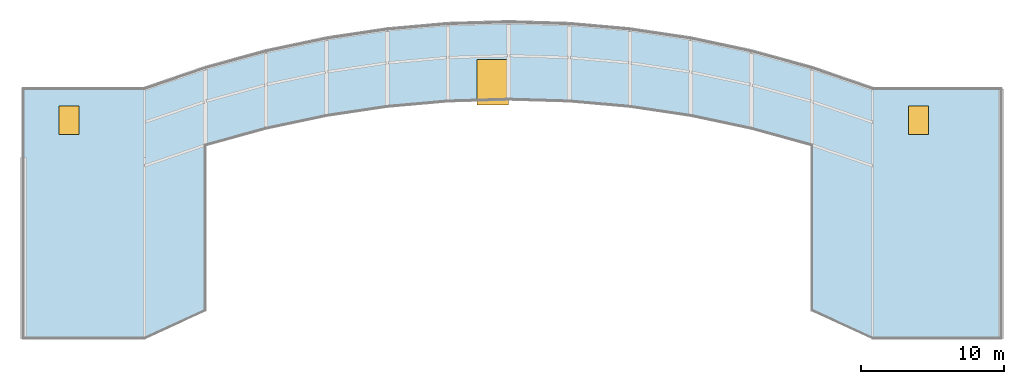
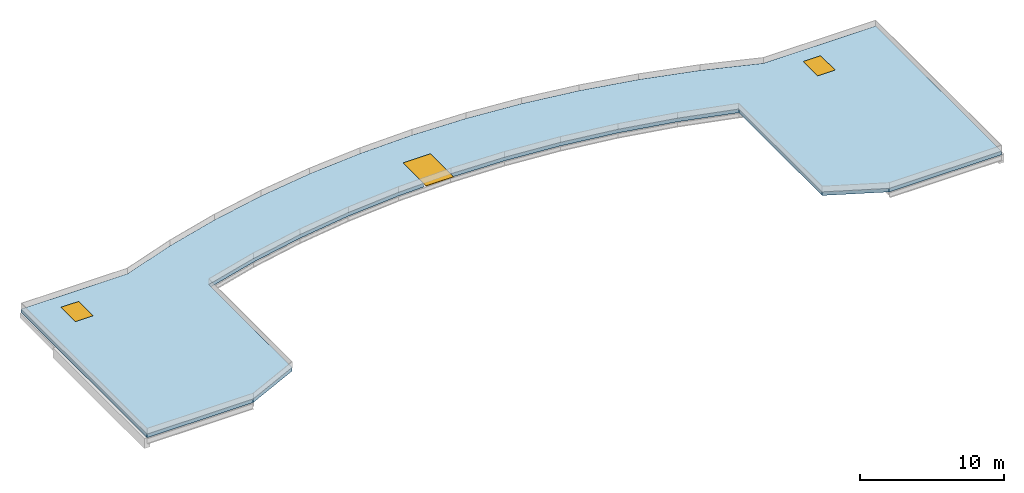
# One storey, part 2 of 3: 3 windows, 1 slab, 3 openings.
"""IFC4 building model written with IfcOpenShell, lengths in metres."""

from ifc_helpers import new_model, si_unit, direction, frame, origin, origin_2d, place, context, subcontext, project, spatial, polyline, rectangle, outline, extrude, material, layer, layer_set, type_object, element, fill, save


model = new_model("IFC4")

# Units and contexts
model_context = context("Model", 3, precision=1e-05, world=origin(), true_north=direction((0.0, 1.0)))
body_context = subcontext(model_context, "Body", "Model", "MODEL_VIEW")
ifc_project = project(units=[si_unit("LENGTHUNIT", "METRE"), si_unit("AREAUNIT", "SQUARE_METRE"), si_unit("VOLUMEUNIT", "CUBIC_METRE"), si_unit("PLANEANGLEUNIT", "RADIAN"), si_unit("MASSUNIT", "GRAM", prefix="KILO")], contexts=[model_context])

# Site, building, storey
site_placement = place(None, origin())
site = spatial("IfcSite", under=ifc_project, at=site_placement, CompositionType="ELEMENT")
building_placement = place(site_placement, origin())
building = spatial("IfcBuilding", under=site, at=building_placement, Name="Solvikara Media Centre", CompositionType="ELEMENT")
storey_placement = place(building_placement, frame((0.0, 0.0, 34.199951171875)))
storey = spatial("IfcBuildingStorey", under=building, at=storey_placement, Name="RF", CompositionType="ELEMENT", Elevation=34.199951171875)

# Slab, openings, windows
ifc_material_1 = material(Name="Concrete fc' 35 MPa (C35/45)", Category="concrete")
ifc_layer = layer(ifc_material_1, 0.31005859375)
ifc_layer_set = layer_set([ifc_layer], Name="Concrete fc' 35 MPa (C35/45)")
slab_type = type_object("IfcSlabType", Name="ST-14", PredefinedType="ROOF", material=ifc_layer_set)
slab_placement = place(storey_placement, frame((0.0, 0.0, -0.31005859375)))
slab = element("IfcSlab", 1, at=slab_placement, inside=storey, type_object=slab_type, Name="SL-RF-SKY", PredefinedType="ROOF", context=body_context, shape_type="SweptSolid", body=[
    extrude(outline(polyline([(68.0, 19.323974609375), (76.5, 19.323974609375), (80.75, 21.279052734375), (80.75, 32.860107421875), (85.0, 34.031005859375), (89.25, 34.928955078125), (93.5, 35.56396484375), (97.75, 35.94091796875), (102.0, 36.06689453125), (106.25, 35.94091796875), (110.5, 35.56396484375), (114.75, 34.928955078125), (119.0, 34.031005859375), (123.25, 32.860107421875), (123.25, 21.279052734375), (127.5, 19.323974609375), (136.5, 19.323974609375), (136.5, 36.800048828125), (127.5, 36.800048828125), (123.25, 38.260009765625), (119.0, 39.430908203125), (114.75, 40.3291015625), (110.5, 40.964111328125), (106.25, 41.341064453125), (102.0, 41.467041015625), (97.75, 41.341064453125), (93.5, 40.964111328125), (89.25, 40.3291015625), (85.0, 39.430908203125), (80.75, 38.260009765625), (76.5, 36.800048828125), (68.0, 36.800048828125), (68.0, 19.323974609375)])), origin(), (0.0, 0.0, 1.0), 0.31005859375),
])
opening_1_placement = place(slab_placement, frame((71.199951171875, 34.60009765625, -0.011962890625)))
opening_1 = element("IfcOpeningElement", 2, at=opening_1_placement, cuts=slab, Name="Opening SK-C3-TOP", PredefinedType="OPENING", context=body_context, shape_type="SweptSolid", body=[
    extrude(rectangle(XDim=1.39990234375, YDim=2.0, at=origin_2d()), origin(), (0.0, 0.0, 1.0), 0.333984375),
])
opening_2_placement = place(slab_placement, frame((130.699951171875, 34.60009765625, -0.011962890625)))
opening_2 = element("IfcOpeningElement", 3, at=opening_2_placement, cuts=slab, Name="Opening SK-C4-TOP", PredefinedType="OPENING", context=body_context, shape_type="SweptSolid", body=[
    extrude(rectangle(XDim=1.39990234375, YDim=2.0, at=origin_2d()), origin(), (0.0, 0.0, 1.0), 0.333984375),
])
opening_3_placement = place(slab_placement, frame((100.89990234375, 37.26708984375, -0.011962890625)))
opening_3 = element("IfcOpeningElement", 4, at=opening_3_placement, cuts=slab, Name="Opening SK-RF-GAL-01", PredefinedType="OPENING", context=body_context, shape_type="SweptSolid", body=[
    extrude(rectangle(XDim=2.199951171875, YDim=3.199951171875, at=origin_2d()), origin(), (0.0, 0.0, 1.0), 0.333984375),
])
ifc_material_2 = material(Name="Double-glazed low-E architectural glass", Category="glass")
window_type_1 = type_object("IfcWindowType", Name="SK-05", PartitioningType="SINGLE_PANEL", PredefinedType="SKYLIGHT", material=ifc_material_2)
window_1_placement = place(opening_1_placement, frame((0.0, 0.0, 0.27197265625)))
window_1 = element("IfcWindow", 5, at=window_1_placement, inside=storey, type_object=window_type_1, Name="SK-C3-TOP", OverallHeight=2.0, OverallWidth=1.39990234375, PartitioningType="SINGLE_PANEL", PredefinedType="SKYLIGHT", context=body_context, shape_type="SweptSolid", body=[
    extrude(rectangle(XDim=1.39990234375, YDim=2.0, at=origin_2d()), origin(), (0.0, 0.0, 1.0), 0.050048828125),
])
fill(opening_1, window_1)
window_2_placement = place(opening_2_placement, frame((0.0, 0.0, 0.27197265625)))
window_2 = element("IfcWindow", 6, at=window_2_placement, inside=storey, type_object=window_type_1, Name="SK-C4-TOP", OverallHeight=2.0, OverallWidth=1.39990234375, PartitioningType="SINGLE_PANEL", PredefinedType="SKYLIGHT", context=body_context, shape_type="SweptSolid", body=[
    extrude(rectangle(XDim=1.39990234375, YDim=2.0, at=origin_2d()), origin(), (0.0, 0.0, 1.0), 0.050048828125),
])
fill(opening_2, window_2)
window_type_2 = type_object("IfcWindowType", Name="SK-06", PartitioningType="SINGLE_PANEL", PredefinedType="SKYLIGHT", material=ifc_material_2)
window_3_placement = place(opening_3_placement, frame((0.0, 0.0, 0.27197265625)))
window_3 = element("IfcWindow", 7, at=window_3_placement, inside=storey, type_object=window_type_2, Name="SK-RF-GAL-01", OverallHeight=3.199951171875, OverallWidth=2.199951171875, PartitioningType="SINGLE_PANEL", PredefinedType="SKYLIGHT", context=body_context, shape_type="SweptSolid", body=[
    extrude(rectangle(XDim=2.199951171875, YDim=3.199951171875, at=origin_2d()), origin(), (0.0, 0.0, 1.0), 0.050048828125),
])
fill(opening_3, window_3)

save(model, "model.ifc")
